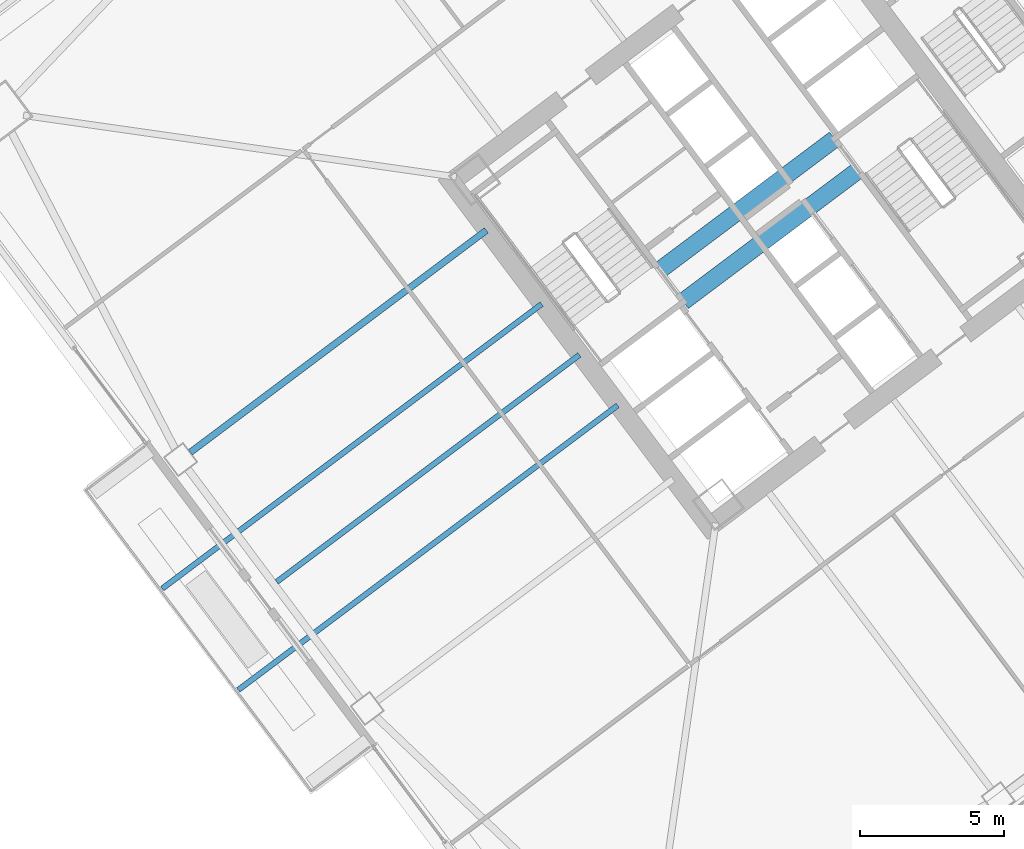
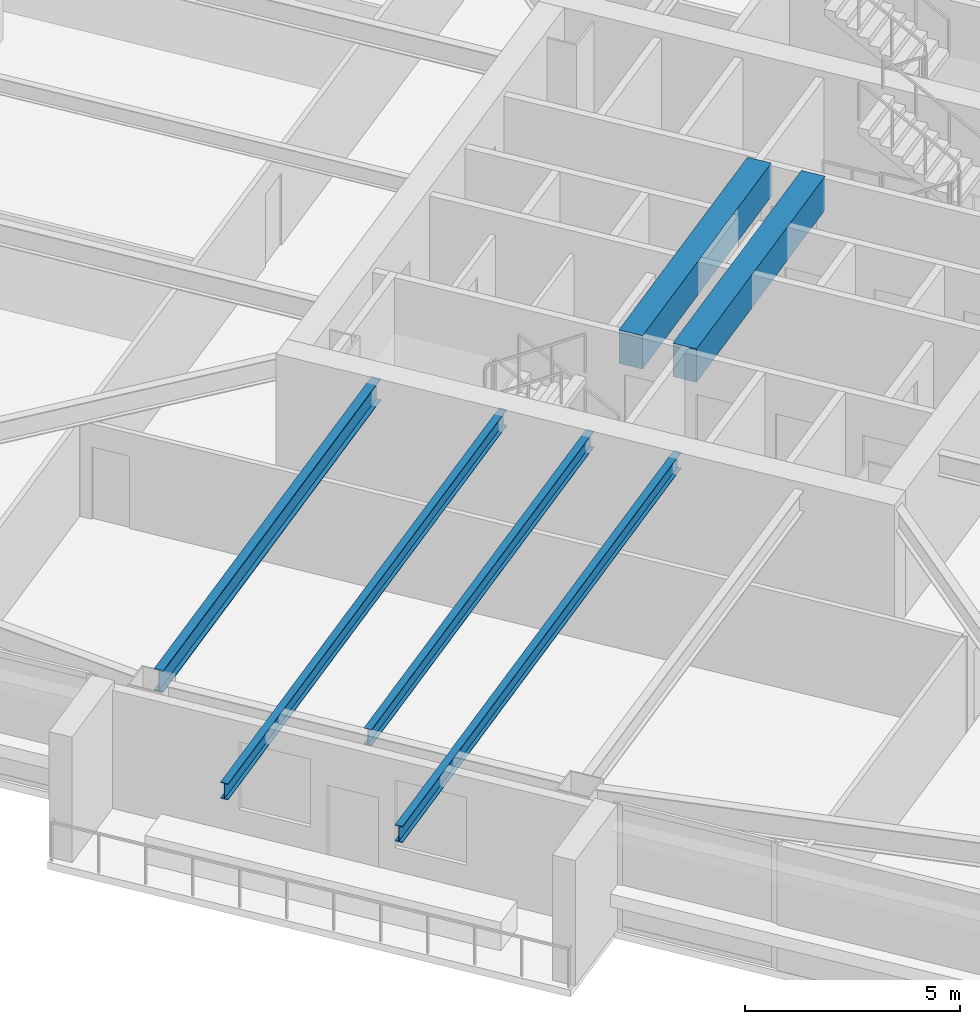
# One storey, part 22 of 48: 6 beams.
"""IFC4 building model written with IfcOpenShell, lengths in metres."""

from ifc_helpers import new_model, si_unit, direction, frame, origin, origin_2d, place, context, subcontext, project, spatial, rectangle, i_section, extrude, material, material_profile, profile_set, type_object, element, save


model = new_model("IFC4")

# Units and contexts
model_context = context("Model", 3, precision=1e-05, world=origin(), true_north=direction((0.0, 1.0)))
body_context = subcontext(model_context, "Body", "Model", "MODEL_VIEW")
ifc_project = project(units=[si_unit("LENGTHUNIT", "METRE"), si_unit("AREAUNIT", "SQUARE_METRE"), si_unit("VOLUMEUNIT", "CUBIC_METRE"), si_unit("PLANEANGLEUNIT", "RADIAN"), si_unit("MASSUNIT", "GRAM", prefix="KILO")], contexts=[model_context])

# Site, building, storey
site_placement = place(None, origin())
site = spatial("IfcSite", under=ifc_project, at=site_placement, CompositionType="ELEMENT")
building_placement = place(site_placement, origin())
building = spatial("IfcBuilding", under=site, at=building_placement, Name="Tashvorn Skyway Center", CompositionType="ELEMENT")
storey_placement = place(building_placement, frame((0.0, 0.0, 56.550048828125)))
storey = spatial("IfcBuildingStorey", under=building, at=storey_placement, Name="L14", CompositionType="ELEMENT", Elevation=56.550048828125)

# Beams
ifc_material_1 = material(Name="Steel ASTM A992 Grade 50", Category="steel")
ifc_material_profile_1 = material_profile(ifc_material_1, i_section(OverallWidth=0.22998046875, OverallDepth=0.616943359375, WebThickness=0.01318359375, FlangeThickness=0.022216796875, at=origin_2d()), Name="W24X94")
ifc_profile_set_1 = profile_set([ifc_material_profile_1], Name="Steel ASTM A992 Grade 50")
beam_type_1 = type_object("IfcBeamType", Name="BM-BEAM-W24X94", PredefinedType="BEAM", material=ifc_profile_set_1)
beam_1_placement = place(storey_placement, frame((94.256103515625, 23.94189453125, 3.04150390625), z_axis=(0.799986320265, 0.600018239213, 0.0), x_axis=(-0.600018239213, 0.799986320265, 0.0)))
element("IfcBeam", 1, at=beam_1_placement, inside=storey, type_object=beam_type_1, Name="Tower 2 L14 Primary Floor Girder FC-W1", PredefinedType="BEAM", context=body_context, shape_type="SweptSolid", body=[
    extrude(i_section(OverallWidth=0.22998046875, OverallDepth=0.616943359375, WebThickness=0.01318359375, FlangeThickness=0.022216796875, at=origin_2d()), origin(), (0.0, 0.0, 1.0), 12.849853515625),
])
ifc_material_profile_2 = material_profile(ifc_material_1, i_section(OverallWidth=0.19091796875, OverallDepth=0.4599609375, WebThickness=0.010009765625, FlangeThickness=0.01611328125, at=origin_2d()), Name="W18X55")
ifc_profile_set_2 = profile_set([ifc_material_profile_2], Name="Steel ASTM A992 Grade 50")
beam_type_2 = type_object("IfcBeamType", Name="BM-JOIST-W18X55", PredefinedType="JOIST", material=ifc_profile_set_2)
beam_2_placement = place(storey_placement, frame((107.76806640625, 27.325927734375, 3.119873046875), z_axis=(-0.799997770398, -0.600002972791, 0.0), x_axis=(0.600002972791, -0.799997770398, 0.0)))
element("IfcBeam", 2, at=beam_2_placement, inside=storey, type_object=beam_type_2, Name="Tower 2 L14 Secondary Composite Joist JW", PredefinedType="JOIST", context=body_context, shape_type="SweptSolid", body=[
    extrude(i_section(OverallWidth=0.19091796875, OverallDepth=0.4599609375, WebThickness=0.010009765625, FlangeThickness=0.01611328125, at=origin_2d()), origin(), (0.0, 0.0, 1.0), 13.139892578125),
])
for number, where, z_axis, x_axis, name in (
    (3, (109.095947265625, 25.572021484375, 3.119873046875), (-0.799998221201, -0.600002371724, 0.0), (0.600002371724, -0.799998221201, 0.0), "Tower 2 L15 Terrace Cantilever Outlooker 1"),
    (4, (106.4560546875, 29.092041015625, 3.119873046875), (-0.799998221201, -0.600002371724, 0.0), (0.600002371724, -0.799998221201, 0.0), "Tower 2 L15 Terrace Cantilever Outlooker 2"),
):
    element("IfcBeam", number, at=place(storey_placement, frame(where, z_axis=z_axis, x_axis=x_axis)), inside=storey, type_object=beam_type_2, Name=name, PredefinedType="JOIST", context=body_context, shape_type="SweptSolid", body=[
        extrude(i_section(OverallWidth=0.19091796875, OverallDepth=0.4599609375, WebThickness=0.010009765625, FlangeThickness=0.01611328125, at=origin_2d()), origin(), (0.0, 0.0, 1.0), 16.469970703125),
    ])
ifc_material_2 = material(Name="Concrete C60/75", Category="concrete")
ifc_material_profile_3 = material_profile(ifc_material_2, rectangle(XDim=0.60009765625, YDim=0.949951171875, at=origin_2d()), Name="RCB600x950")
ifc_profile_set_3 = profile_set([ifc_material_profile_3], Name="Concrete C60/75")
beam_type_3 = type_object("IfcBeamType", Name="BM-LINTEL-RCB600x950", PredefinedType="LINTEL", material=ifc_profile_set_3)
for number, where, z_axis, x_axis, name in (
    (5, (110.552001953125, 30.263916015625, 2.875), (0.8, 0.6, 0.0), (-0.6, 0.8, 0.0), "Tower 2 L14 Core Coupling Beam CN"),
    (6, (111.367919921875, 29.176025390625, 2.875), (0.8, 0.6, 0.0), (-0.6, 0.8, 0.0), "Tower 2 L14 Core Coupling Beam CS"),
):
    element("IfcBeam", number, at=place(storey_placement, frame(where, z_axis=z_axis, x_axis=x_axis)), inside=storey, type_object=beam_type_3, Name=name, PredefinedType="LINTEL", context=body_context, shape_type="SweptSolid", body=[
        extrude(rectangle(XDim=0.60009765625, YDim=0.949951171875, at=origin_2d()), origin(), (0.0, 0.0, 1.0), 7.60009765625),
    ])

save(model, "model.ifc")
